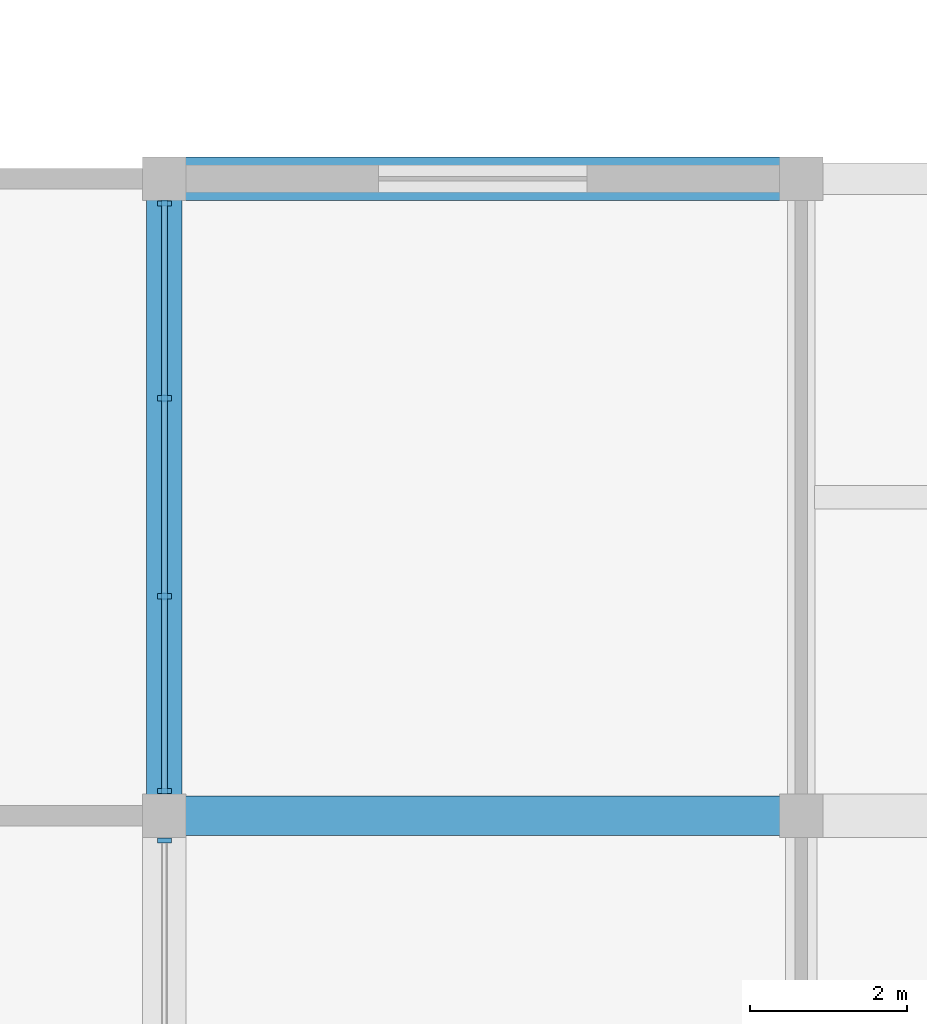
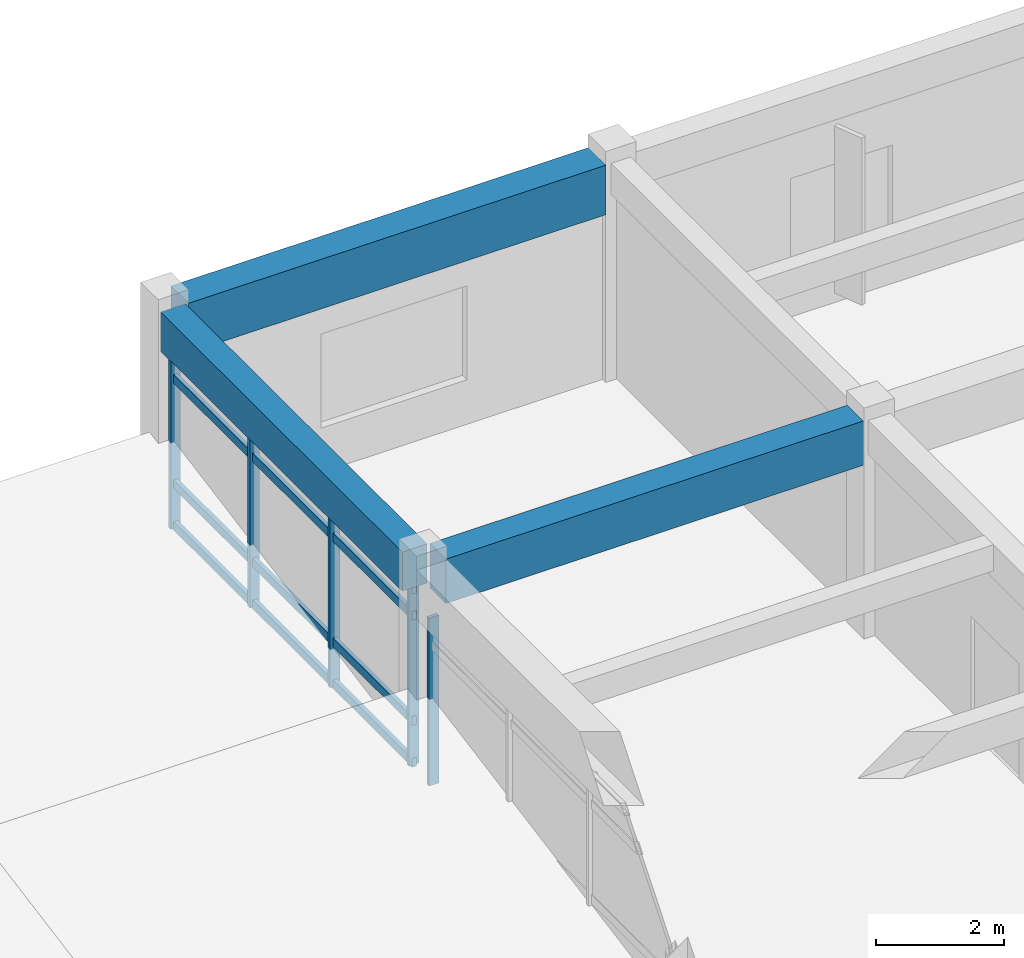
# One storey, part 18 of 33: 9 members, 3 beams, 2 elements without a shape of their own.
"""IFC4 building model written with IfcOpenShell, lengths in metres."""

import ifcopenshell
import ifcopenshell.guid

model = None  # the IFC model being written
_history = None  # IfcOwnerHistory: only IFC2X3 demands one
_inside = {}  # id of a spatial element -> (the spatial element, [elements in it])
_under = {}  # id of a project, library or spatial element -> (it, [spatial elements below it])
_declared = {}  # id of a project -> (the project, [libraries it declares])
_typed = {}  # id of a type object -> (the type object, [elements of that type])
_made_of = {}  # id of a material, layer set ... -> (it, [elements and type objects made of it])


def new_model(schema):
    """Start an empty IFC model of exactly this schema.

    Asked for "IFC4X3", IfcOpenShell would pick the latest addendum, in which some entities
    have other attributes; the version numbers below select the first issue.
    IFC2X3 requires an IfcOwnerHistory on every rooted entity: one is made here for all.
    """
    global model, _history
    if schema == "IFC4X3":
        model = ifcopenshell.file(schema_version=(4, 3, 0, 0))
    else:
        model = ifcopenshell.file(schema=schema)
    _inside.clear()
    _under.clear()
    _declared.clear()
    _typed.clear()
    _made_of.clear()
    _history = None
    if model.schema == "IFC2X3":
        org = make("IfcOrganization", Name="unknown")
        user = make(
            "IfcPersonAndOrganization",
            ThePerson=make("IfcPerson", FamilyName="unknown"),
            TheOrganization=org,
        )
        app = make(
            "IfcApplication",
            ApplicationDeveloper=org,
            Version="unknown",
            ApplicationFullName="unknown",
            ApplicationIdentifier="unknown",
        )
        _history = make(
            "IfcOwnerHistory",
            OwningUser=user,
            OwningApplication=app,
            ChangeAction="ADDED",
            CreationDate=0,
        )
    return model


def make(cls, **values):
    """One entity of the class cls with the attributes given. An attribute that is None is left unset."""
    return model.create_entity(
        cls, **{name: value for name, value in values.items() if value is not None}
    )


def rooted(cls, **values):
    """An entity with a GlobalId (a new one), such as an element, a storey or a relation."""
    return make(cls, GlobalId=ifcopenshell.guid.new(), OwnerHistory=_history, **values)


def si_unit(unit_type, name, prefix=None):
    """IfcSIUnit, for example si_unit("LENGTHUNIT", "METRE", prefix="MILLI")."""
    return make("IfcSIUnit", UnitType=unit_type, Prefix=prefix, Name=name)


def assignment(units):
    """IfcUnitAssignment: the units of a project."""
    return None if units is None else make("IfcUnitAssignment", Units=units)


def point(xyz):
    """IfcCartesianPoint."""
    return None if xyz is None else make("IfcCartesianPoint", Coordinates=xyz)


def direction(xyz):
    """IfcDirection."""
    return None if xyz is None else make("IfcDirection", DirectionRatios=xyz)


def frame(location, z_axis=None, x_axis=None):
    """IfcAxis2Placement3D, a coordinate frame: its origin and axes. An axis left out is left unset."""
    return make(
        "IfcAxis2Placement3D",
        Location=point(location),
        Axis=direction(z_axis),
        RefDirection=direction(x_axis),
    )


def frame_2d(location, x_axis=None):
    """IfcAxis2Placement2D, a coordinate frame in the plane: its origin and x axis."""
    return make(
        "IfcAxis2Placement2D", Location=point(location), RefDirection=direction(x_axis)
    )


def origin():
    """The frame at (0, 0, 0) with its axes left unset."""
    return frame((0.0, 0.0, 0.0))


def origin_2d():
    """The frame at (0, 0) in the plane with its x axis left unset."""
    return frame_2d((0.0, 0.0))


def place(relative_to, where):
    """IfcLocalPlacement: puts the frame where relative to a parent placement (None: the world)."""
    return make(
        "IfcLocalPlacement", PlacementRelTo=relative_to, RelativePlacement=where
    )


def context(
    kind, dimensions, precision=None, world=None, true_north=None, identifier=None
):
    """IfcGeometricRepresentationContext, for example the 3D "Model" context."""
    return make(
        "IfcGeometricRepresentationContext",
        ContextIdentifier=identifier,
        ContextType=kind,
        CoordinateSpaceDimension=dimensions,
        Precision=precision,
        WorldCoordinateSystem=world,
        TrueNorth=true_north,
    )


def subcontext(parent, identifier, kind, view, scale=None):
    """IfcGeometricRepresentationSubContext, for example "Body" below "Model"."""
    return make(
        "IfcGeometricRepresentationSubContext",
        ContextIdentifier=identifier,
        ContextType=kind,
        ParentContext=parent,
        TargetScale=scale,
        TargetView=view,
    )


def project(units=None, contexts=None):
    """IfcProject with its units and contexts."""
    return rooted(
        "IfcProject",
        Name="project",
        RepresentationContexts=contexts,
        UnitsInContext=assignment(units),
    )


def spatial(cls, under=None, at=None, **own):
    """A site, building, storey or space (cls), placed at a placement, below another one or the project."""
    s = rooted(cls, ObjectPlacement=at, **own)
    if under is not None:
        _under.setdefault(under.id(), (under, []))[1].append(s)
    return s


def profile(cls, at=None, kind="AREA", **sizes):
    """A parametric profile (cls). Its sizes go by their IFC names, for example OverallWidth=200.0."""
    return make(cls, ProfileType=kind, Position=at, **sizes)


def rectangle(**sizes):
    """IfcRectangleProfileDef."""
    return profile("IfcRectangleProfileDef", **sizes)


def extrude(swept, where, along, depth):
    """IfcExtrudedAreaSolid: the profile swept, set in the frame where, extruded along a direction by depth."""
    return make(
        "IfcExtrudedAreaSolid",
        SweptArea=swept,
        Position=where,
        ExtrudedDirection=direction(along),
        Depth=depth,
    )


def shape(context_of_items, identifier, shape_type, items):
    """IfcShapeRepresentation: the items that make up one representation, for example the "Body"."""
    return make(
        "IfcShapeRepresentation",
        ContextOfItems=context_of_items,
        RepresentationIdentifier=identifier,
        RepresentationType=shape_type,
        Items=items,
    )


def material(Name=None, Category=None):
    """IfcMaterial."""
    return make("IfcMaterial", Name=Name, Category=Category)


def layer(
    of_material, thickness, ventilated=None, Name=None, Category=None, Priority=None
):
    """IfcMaterialLayer: one layer of a wall or slab, of a material (None: an air gap)."""
    return make(
        "IfcMaterialLayer",
        Material=of_material,
        LayerThickness=thickness,
        IsVentilated=ventilated,
        Name=Name,
        Category=Category,
        Priority=Priority,
    )


def layer_set(layers, Name=None):
    """IfcMaterialLayerSet."""
    return make("IfcMaterialLayerSet", MaterialLayers=layers, LayerSetName=Name)


def material_profile(
    of_material, cross_section, Name=None, Category=None, Priority=None
):
    """IfcMaterialProfile: a cross section and its material."""
    return make(
        "IfcMaterialProfile",
        Name=Name,
        Material=of_material,
        Profile=cross_section,
        Priority=Priority,
        Category=Category,
    )


def profile_set(profiles, Name=None, composite=None):
    """IfcMaterialProfileSet."""
    return make(
        "IfcMaterialProfileSet",
        Name=Name,
        MaterialProfiles=profiles,
        CompositeProfile=composite,
    )


def made_of(thing, what):
    """Note that an element or type object is made of a material, layer set ...; save() writes the relation."""
    if what is not None:
        _made_of.setdefault(what.id(), (what, []))[1].append(thing)
    return thing


def type_object(cls, material=None, **own):
    """A type object (cls), such as IfcWallType, which elements share."""
    return made_of(rooted(cls, **own), material)


def element(
    cls,
    number,
    at=None,
    inside=None,
    cuts=None,
    type_object=None,
    material=None,
    context=None,
    identifier="Body",
    shape_type=None,
    held_by="IfcProductDefinitionShape",
    body=None,
    shapes=None,
    **own,
):
    """One element of the class cls, such as IfcWall. Its Tag is "e" and its number.

    at: its placement. inside: the storey or other place that contains it. cuts: it is an
    opening in that element (IfcRelVoidsElement). A single representation is given by context,
    identifier, shape_type and body (its items); several are given by shapes. held_by: the class
    of the entity that holds the representations. save() writes the other relations.
    """
    e = rooted(cls, Tag="e%d" % number, ObjectPlacement=at, **own)
    if body is not None:
        shapes = [shape(context, identifier, shape_type, body)]
    if shapes is not None:
        e.Representation = make(held_by, Representations=shapes)
    if inside is not None:
        _inside.setdefault(inside.id(), (inside, []))[1].append(e)
    if cuts is not None:
        rooted(
            "IfcRelVoidsElement", RelatingBuildingElement=cuts, RelatedOpeningElement=e
        )
    if type_object is not None:
        _typed.setdefault(type_object.id(), (type_object, []))[1].append(e)
    return made_of(e, material)


def aggregate(whole, parts):
    """IfcRelAggregates: a whole, such as a stair, and the parts it consists of."""
    return rooted("IfcRelAggregates", RelatingObject=whole, RelatedObjects=parts)


def save(model, path):
    """Write the relations noted so far, then the file.

    IfcRelAggregates (storeys below a building ...), IfcRelContainedInSpatialStructure (elements
    in a storey), IfcRelDefinesByType, IfcRelAssociatesMaterial and IfcRelDeclares: one each for
    every whole, place, type object, material and project.
    """
    for whole, parts in _under.values():
        aggregate(whole, parts)
    for where, things in _inside.values():
        rooted(
            "IfcRelContainedInSpatialStructure",
            RelatedElements=things,
            RelatingStructure=where,
        )
    for kind, things in _typed.values():
        rooted("IfcRelDefinesByType", RelatedObjects=things, RelatingType=kind)
    for what, things in _made_of.values():
        rooted("IfcRelAssociatesMaterial", RelatedObjects=things, RelatingMaterial=what)
    for by, libraries in _declared.values():
        rooted("IfcRelDeclares", RelatingContext=by, RelatedDefinitions=libraries)
    model.write(path)


model = new_model("IFC4")

# Units and contexts
model_context = context("Model", 3, precision=1e-05, world=origin(), true_north=direction((0.0, 1.0)))
body_context = subcontext(model_context, "Body", "Model", "MODEL_VIEW")
ifc_project = project(units=[si_unit("LENGTHUNIT", "METRE"), si_unit("AREAUNIT", "SQUARE_METRE"), si_unit("VOLUMEUNIT", "CUBIC_METRE"), si_unit("PLANEANGLEUNIT", "RADIAN"), si_unit("MASSUNIT", "GRAM", prefix="KILO")], contexts=[model_context])

# Site, building, storey
site_placement = place(None, origin())
site = spatial("IfcSite", under=ifc_project, at=site_placement, CompositionType="ELEMENT")
building_placement = place(site_placement, origin())
building = spatial("IfcBuilding", under=site, at=building_placement, Name="Vaudrelin Polytechnic", CompositionType="ELEMENT")
storey_placement = place(building_placement, frame((0.0, 0.0, 27.3701171875)))
storey = spatial("IfcBuildingStorey", under=building, at=storey_placement, Name="L06", CompositionType="ELEMENT", Elevation=27.3701171875)

# Beams
ifc_material_1 = material(Name="Concrete 40 MPa", Category="concrete")
ifc_material_profile_1 = material_profile(ifc_material_1, rectangle(XDim=0.449951171875, YDim=0.75, at=origin_2d()), Name="RC450x750")
ifc_profile_set_1 = profile_set([ifc_material_profile_1], Name="Concrete 40 MPa")
beam_type_1 = type_object("IfcBeamType", Name="BM-BM-RC4575", PredefinedType="BEAM", material=ifc_profile_set_1)
beam_1_placement = place(storey_placement, frame((137.699951171875, 113.659912109375, 3.784912109375), z_axis=(0.0, 1.0, 0.0), x_axis=(-1.0, 0.0, 0.0)))
element("IfcBeam", 1, at=beam_1_placement, inside=storey, type_object=beam_type_1, Name="L06 Y-beam 18-15", PredefinedType="BEAM", context=body_context, shape_type="SweptSolid", body=[
    extrude(rectangle(XDim=0.449951171875, YDim=0.75, at=origin_2d()), origin(), (0.0, 0.0, 1.0), 7.580078125),
])
ifc_material_profile_2 = material_profile(ifc_material_1, rectangle(XDim=0.5, YDim=0.85009765625, at=origin_2d()), Name="RC500x850")
ifc_profile_set_2 = profile_set([ifc_material_profile_2], Name="Concrete 40 MPa")
beam_type_2 = type_object("IfcBeamType", Name="BM-BM-RC5085", PredefinedType="BEAM", material=ifc_profile_set_2)
beam_2_placement = place(storey_placement, frame((137.970947265625, 113.39990234375, 3.73486328125), z_axis=(1.0, 0.0, 0.0), x_axis=(0.0, 1.0, 0.0)))
element("IfcBeam", 2, at=beam_2_placement, inside=storey, type_object=beam_type_2, Name="L06 X-beam 18-15", PredefinedType="BEAM", context=body_context, shape_type="SweptSolid", body=[
    extrude(rectangle(XDim=0.5, YDim=0.85009765625, at=origin_2d()), origin(), (0.0, 0.0, 1.0), 7.55810546875),
])
ifc_material_2 = material(Name="Concrete 50 MPa", Category="concrete")
ifc_material_profile_3 = material_profile(ifc_material_2, rectangle(XDim=0.550048828125, YDim=0.949951171875, at=origin_2d()), Name="RC550x950")
ifc_profile_set_3 = profile_set([ifc_material_profile_3], Name="Concrete 50 MPa")
beam_type_3 = type_object("IfcBeamType", Name="BM-BM-RC5595", PredefinedType="BEAM", material=ifc_profile_set_3)
beam_3_placement = place(storey_placement, frame((137.970947265625, 121.5, 3.684814453125), z_axis=(1.0, 0.0, 0.0), x_axis=(0.0, 1.0, 0.0)))
element("IfcBeam", 3, at=beam_3_placement, inside=storey, type_object=beam_type_3, Name="L06 X-beam 18-16", PredefinedType="BEAM", context=body_context, shape_type="SweptSolid", body=[
    extrude(rectangle(XDim=0.550048828125, YDim=0.949951171875, at=origin_2d()), origin(), (0.0, 0.0, 1.0), 7.55810546875),
])

# Curtain wall, member
ifc_material_3 = material(Name="Thermally broken anodised aluminium AA 6063-T6 and low-e triple glazing", Category="aluminium")
ifc_layer = layer(ifc_material_3, 0.199951171875)
ifc_layer_set = layer_set([ifc_layer], Name="Thermally broken anodised aluminium AA 6063-T6 and low-e triple glazing")
curtain_wall_type = type_object("IfcCurtainWallType", Name="CW-CW-LAB", PredefinedType="USERDEFINED", material=ifc_layer_set)
curtain_wall_1_placement = place(storey_placement, origin())
curtain_wall_1 = element("IfcCurtainWall", 4, at=curtain_wall_1_placement, inside=storey, type_object=curtain_wall_type, Name="Curtain wall L06 W_V4_09", ObjectType="CURTAIN WALL", PredefinedType="USERDEFINED")
ifc_material_4 = material(Name="Anodised aluminium AA 6063-T6", Category="aluminium")
ifc_material_profile_4 = material_profile(ifc_material_4, rectangle(XDim=0.06494140625, YDim=0.179931640625, at=origin_2d()), Name="CWM-65x180")
ifc_profile_set_4 = profile_set([ifc_material_profile_4], Name="Anodised aluminium AA 6063-T6")
member_type_1 = type_object("IfcMemberType", Name="MEM-CWM-180", PredefinedType="MULLION", material=ifc_profile_set_4)
member_1_placement = place(storey_placement, frame((137.699951171875, 113.0869140625, 0.0), z_axis=(0.0, 0.0, 1.0), x_axis=(0.0, 1.0, 0.0)))
member_1 = element("IfcMember", 5, at=member_1_placement, type_object=member_type_1, Name="W_V4_09 mullion 4", PredefinedType="MULLION", context=body_context, shape_type="SweptSolid", body=[
    extrude(rectangle(XDim=0.06494140625, YDim=0.179931640625, at=origin_2d()), origin(), (0.0, 0.0, 1.0), 3.2119140625),
])
aggregate(curtain_wall_1, [member_1])

# Curtain wall, members
curtain_wall_2_placement = place(storey_placement, origin())
curtain_wall_2 = element("IfcCurtainWall", 6, at=curtain_wall_2_placement, inside=storey, type_object=curtain_wall_type, Name="Curtain wall L06 W_V4_10", ObjectType="CURTAIN WALL", PredefinedType="USERDEFINED")
member_2_placement = place(storey_placement, frame((137.699951171875, 113.712890625, 0.0), z_axis=(0.0, 0.0, 1.0), x_axis=(0.0, 1.0, 0.0)))
member_2 = element("IfcMember", 7, at=member_2_placement, type_object=member_type_1, Name="W_V4_10 mullion 1", PredefinedType="MULLION", context=body_context, shape_type="SweptSolid", body=[
    extrude(rectangle(XDim=0.06494140625, YDim=0.179931640625, at=origin_2d()), origin(), (0.0, 0.0, 1.0), 3.411865234375),
])
member_3_placement = place(storey_placement, frame((137.699951171875, 116.19091796875, 0.0), z_axis=(0.0, 0.0, 1.0), x_axis=(0.0, 1.0, 0.0)))
member_3 = element("IfcMember", 8, at=member_3_placement, type_object=member_type_1, Name="W_V4_10 mullion 2", PredefinedType="MULLION", context=body_context, shape_type="SweptSolid", body=[
    extrude(rectangle(XDim=0.06494140625, YDim=0.179931640625, at=origin_2d()), origin(), (0.0, 0.0, 1.0), 3.411865234375),
])
member_4_placement = place(storey_placement, frame((137.699951171875, 118.708984375, 0.0), z_axis=(0.0, 0.0, 1.0), x_axis=(0.0, 1.0, 0.0)))
member_4 = element("IfcMember", 9, at=member_4_placement, type_object=member_type_1, Name="W_V4_10 mullion 3", PredefinedType="MULLION", context=body_context, shape_type="SweptSolid", body=[
    extrude(rectangle(XDim=0.06494140625, YDim=0.179931640625, at=origin_2d()), origin(), (0.0, 0.0, 1.0), 3.411865234375),
])
member_5_placement = place(storey_placement, frame((137.699951171875, 121.18701171875, 0.0), z_axis=(0.0, 0.0, 1.0), x_axis=(0.0, 1.0, 0.0)))
member_5 = element("IfcMember", 10, at=member_5_placement, type_object=member_type_1, Name="W_V4_10 mullion 4", PredefinedType="MULLION", context=body_context, shape_type="SweptSolid", body=[
    extrude(rectangle(XDim=0.06494140625, YDim=0.179931640625, at=origin_2d()), origin(), (0.0, 0.0, 1.0), 3.411865234375),
])
ifc_material_profile_5 = material_profile(ifc_material_4, rectangle(XDim=0.074951171875, YDim=0.1650390625, at=origin_2d()), Name="CWT-75x165")
ifc_profile_set_5 = profile_set([ifc_material_profile_5], Name="Anodised aluminium AA 6063-T6")
member_type_2 = type_object("IfcMemberType", Name="MEM-CWT-165", PredefinedType="USERDEFINED", material=ifc_profile_set_5)
member_6_placement = place(storey_placement, frame((137.699951171875, 113.673095703125, 0.0498046875), z_axis=(0.0, 1.0, 0.0), x_axis=(-1.0, 0.0, 0.0)))
member_6 = element("IfcMember", 11, at=member_6_placement, type_object=member_type_2, Name="W_V4_10 transom 1", ObjectType="TRANSOM", PredefinedType="USERDEFINED", context=body_context, shape_type="SweptSolid", body=[
    extrude(rectangle(XDim=0.074951171875, YDim=0.1650390625, at=origin_2d()), origin(), (0.0, 0.0, 1.0), 7.553955078125),
])
member_7_placement = place(storey_placement, frame((137.699951171875, 113.673095703125, 0.849853515625), z_axis=(0.0, 1.0, 0.0), x_axis=(-1.0, 0.0, 0.0)))
member_7 = element("IfcMember", 12, at=member_7_placement, type_object=member_type_2, Name="W_V4_10 transom 2", ObjectType="TRANSOM", PredefinedType="USERDEFINED", context=body_context, shape_type="SweptSolid", body=[
    extrude(rectangle(XDim=0.074951171875, YDim=0.1650390625, at=origin_2d()), origin(), (0.0, 0.0, 1.0), 7.553955078125),
])
member_8_placement = place(storey_placement, frame((137.699951171875, 113.673095703125, 2.86181640625), z_axis=(0.0, 1.0, 0.0), x_axis=(-1.0, 0.0, 0.0)))
member_8 = element("IfcMember", 13, at=member_8_placement, type_object=member_type_2, Name="W_V4_10 transom 3", ObjectType="TRANSOM", PredefinedType="USERDEFINED", context=body_context, shape_type="SweptSolid", body=[
    extrude(rectangle(XDim=0.074951171875, YDim=0.1650390625, at=origin_2d()), origin(), (0.0, 0.0, 1.0), 7.553955078125),
])
member_9_placement = place(storey_placement, frame((137.699951171875, 113.673095703125, 3.36181640625), z_axis=(0.0, 1.0, 0.0), x_axis=(-1.0, 0.0, 0.0)))
member_9 = element("IfcMember", 14, at=member_9_placement, type_object=member_type_2, Name="W_V4_10 transom 4", ObjectType="TRANSOM", PredefinedType="USERDEFINED", context=body_context, shape_type="SweptSolid", body=[
    extrude(rectangle(XDim=0.074951171875, YDim=0.1650390625, at=origin_2d()), origin(), (0.0, 0.0, 1.0), 7.553955078125),
])
aggregate(curtain_wall_2, [member_2, member_3, member_4, member_5, member_6, member_7, member_8, member_9])

save(model, "model.ifc")
